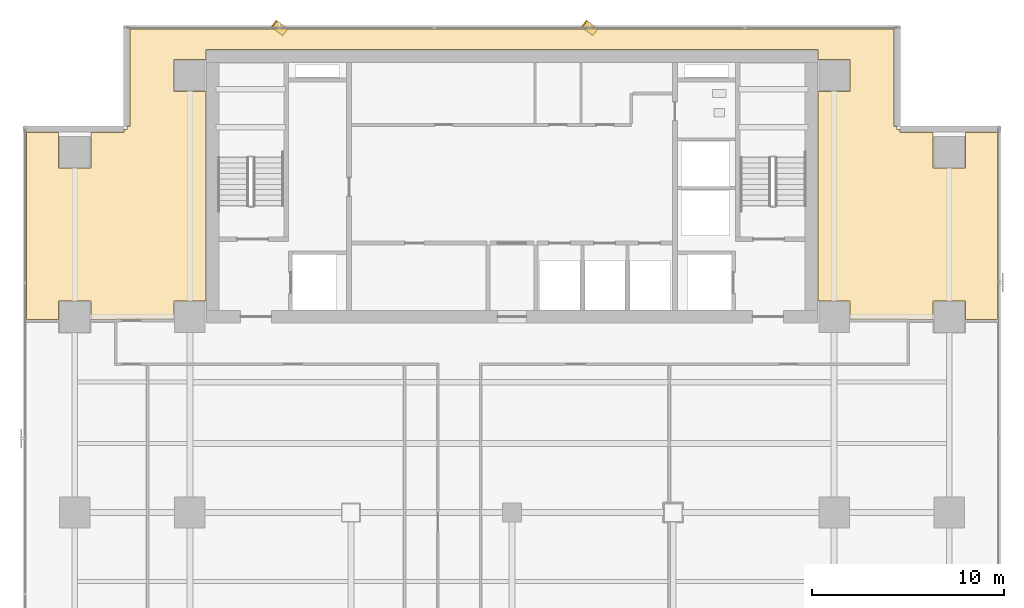
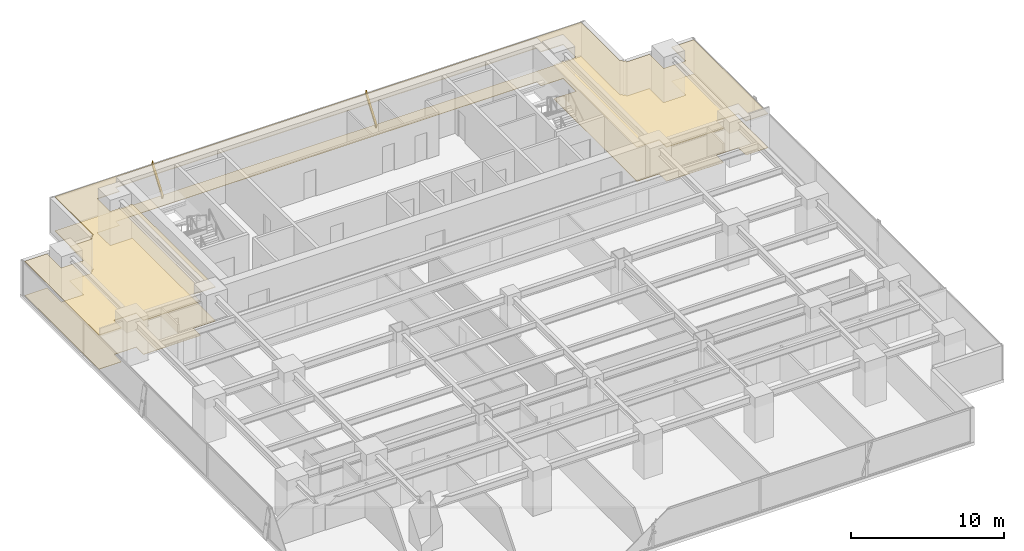
# One storey, part 35 of 37: 2 coverings, 2 shading devices.
"""IFC4 building model written with IfcOpenShell, lengths in metres."""

from ifc_helpers import new_model, si_unit, direction, frame, origin, origin_2d, place, context, subcontext, project, spatial, polyline, rectangle, outline, extrude, source, transform, mapped, material, layer, layer_set, material_profile, profile_set, type_object, element, save


model = new_model("IFC4")

# Units and contexts
model_context = context("Model", 3, precision=1e-05, world=origin(), true_north=direction((0.0, 1.0)))
body_context = subcontext(model_context, "Body", "Model", "MODEL_VIEW")
ifc_project = project(units=[si_unit("LENGTHUNIT", "METRE"), si_unit("AREAUNIT", "SQUARE_METRE"), si_unit("VOLUMEUNIT", "CUBIC_METRE"), si_unit("PLANEANGLEUNIT", "RADIAN"), si_unit("MASSUNIT", "GRAM", prefix="KILO")], contexts=[model_context])

# Site, building, storey
site_placement = place(None, origin())
site = spatial("IfcSite", under=ifc_project, at=site_placement, CompositionType="ELEMENT")
building_placement = place(site_placement, origin())
building = spatial("IfcBuilding", under=site, at=building_placement, Name="Sumidabori Civic Tower", CompositionType="ELEMENT")
storey_placement = place(building_placement, frame((0.0, 0.0, 88.39990234375)))
storey = spatial("IfcBuildingStorey", under=building, at=storey_placement, Name="L22", CompositionType="ELEMENT", Elevation=88.39990234375)

# Coverings
ifc_material_1 = material(Name="Anodised Bronze Baffle Ceiling")
ifc_layer_1 = layer(ifc_material_1, 0.054931640625, Name="Anodised Bronze Baffle Ceiling")
ifc_layer_set_1 = layer_set([ifc_layer_1], Name="Anodised Bronze Baffle Ceiling")
covering_type_1 = type_object("IfcCoveringType", Name="CV-CEIL-AC3", PredefinedType="CEILING", material=ifc_layer_set_1)
covering_1_placement = place(storey_placement, frame((0.0, 0.0, 2.710205078125)))
element("IfcCovering", 1, at=covering_1_placement, inside=storey, type_object=covering_type_1, Name="Room Acoustic Ceiling L22-01", PredefinedType="CEILING", context=body_context, shape_type="SweptSolid", body=[
    extrude(outline(polyline([(-25.330078125, 10.080078125), (-25.330078125, 19.822021484375), (-23.639892578125, 19.822021484375), (-23.639892578125, 17.9599609375), (-21.9599609375, 17.9599609375), (-21.9599609375, 19.822021484375), (-20.241943359375, 19.822021484375), (-20.241943359375, 19.97998046875), (-20.080078125, 19.97998046875), (-20.080078125, 20.14208984375), (-19.922119140625, 20.14208984375), (-19.922119140625, 25.22998046875), (19.922119140625, 25.22998046875), (19.922119140625, 20.14208984375), (20.080078125, 20.14208984375), (20.080078125, 19.97998046875), (20.241943359375, 19.97998046875), (20.241943359375, 19.822021484375), (21.9599609375, 19.822021484375), (21.9599609375, 17.9599609375), (23.639892578125, 17.9599609375), (23.639892578125, 19.822021484375), (25.330078125, 19.822021484375), (25.330078125, 10.080078125), (23.639892578125, 10.080078125), (23.639892578125, 11.0400390625), (21.9599609375, 11.0400390625), (21.9599609375, 10.080078125), (20.739990234375, 10.080078125), (20.739990234375, 10.090087890625), (17.639892578125, 10.090087890625), (17.639892578125, 11.0400390625), (15.952880859375, 11.0400390625), (15.952880859375, 21.9599609375), (17.639892578125, 21.9599609375), (17.639892578125, 23.639892578125), (15.952880859375, 23.639892578125), (15.952880859375, 24.153076171875), (-15.952880859375, 24.153076171875), (-15.952880859375, 23.639892578125), (-17.639892578125, 23.639892578125), (-17.639892578125, 21.9599609375), (-15.952880859375, 21.9599609375), (-15.952880859375, 11.0400390625), (-17.639892578125, 11.0400390625), (-17.639892578125, 10.090087890625), (-20.739990234375, 10.090087890625), (-20.739990234375, 10.080078125), (-21.9599609375, 10.080078125), (-21.9599609375, 11.0400390625), (-23.639892578125, 11.0400390625), (-23.639892578125, 10.080078125), (-25.330078125, 10.080078125)])), origin(), (0.0, 0.0, 1.0), 0.054931640625),
])
ifc_material_2 = material(Name="Honed Terrazzo Tile Flooring")
ifc_layer_2 = layer(ifc_material_2, 0.030029296875, Name="Honed Terrazzo Tile Flooring")
ifc_layer_set_2 = layer_set([ifc_layer_2], Name="Honed Terrazzo Tile Flooring")
covering_type_2 = type_object("IfcCoveringType", Name="CV-FLR-TER", PredefinedType="FLOORING", material=ifc_layer_set_2)
covering_2_placement = place(storey_placement, origin())
element("IfcCovering", 2, at=covering_2_placement, inside=storey, type_object=covering_type_2, Name="Room Terrazzo Floor L22-01", PredefinedType="FLOORING", context=body_context, shape_type="SweptSolid", body=[
    extrude(outline(polyline([(-25.330078125, 10.080078125), (-25.330078125, 19.822021484375), (-23.639892578125, 19.822021484375), (-23.639892578125, 17.9599609375), (-21.9599609375, 17.9599609375), (-21.9599609375, 19.822021484375), (-20.241943359375, 19.822021484375), (-20.241943359375, 19.97998046875), (-20.080078125, 19.97998046875), (-20.080078125, 20.14208984375), (-19.922119140625, 20.14208984375), (-19.922119140625, 25.22998046875), (19.922119140625, 25.22998046875), (19.922119140625, 20.14208984375), (20.080078125, 20.14208984375), (20.080078125, 19.97998046875), (20.241943359375, 19.97998046875), (20.241943359375, 19.822021484375), (21.9599609375, 19.822021484375), (21.9599609375, 17.9599609375), (23.639892578125, 17.9599609375), (23.639892578125, 19.822021484375), (25.330078125, 19.822021484375), (25.330078125, 10.080078125), (23.639892578125, 10.080078125), (23.639892578125, 11.0400390625), (21.9599609375, 11.0400390625), (21.9599609375, 10.080078125), (20.739990234375, 10.080078125), (20.739990234375, 10.090087890625), (17.639892578125, 10.090087890625), (17.639892578125, 11.0400390625), (15.952880859375, 11.0400390625), (15.952880859375, 21.9599609375), (17.639892578125, 21.9599609375), (17.639892578125, 23.639892578125), (15.952880859375, 23.639892578125), (15.952880859375, 24.153076171875), (-15.952880859375, 24.153076171875), (-15.952880859375, 23.639892578125), (-17.639892578125, 23.639892578125), (-17.639892578125, 21.9599609375), (-15.952880859375, 21.9599609375), (-15.952880859375, 11.0400390625), (-17.639892578125, 11.0400390625), (-17.639892578125, 10.090087890625), (-20.739990234375, 10.090087890625), (-20.739990234375, 10.080078125), (-21.9599609375, 10.080078125), (-21.9599609375, 11.0400390625), (-23.639892578125, 11.0400390625), (-23.639892578125, 10.080078125), (-25.330078125, 10.080078125)])), origin(), (0.0, 0.0, 1.0), 0.030029296875),
])

# Shading devices
ifc_material_3 = material(Name="Anodised Bronze Aluminium AW-6063-T6", Category="aluminium")
ifc_material_profile = material_profile(ifc_material_3, rectangle(XDim=0.06005859375, YDim=0.449951171875, at=origin_2d()), Name="BRONZE FIN 450x60")
ifc_profile_set = profile_set([ifc_material_profile], Name="Anodised Bronze Aluminium AW-6063-T6")
shading_device_type = type_object("IfcShadingDeviceType", Name="SH-FIN-450", PredefinedType="USERDEFINED", material=ifc_profile_set)
shared_shape = source(origin(), body_context, "Body", "SweptSolid", [
    extrude(rectangle(XDim=0.06005859375, YDim=0.449951171875, at=origin_2d()), origin(), (0.0, 0.0, 1.0), 2.77001953125),
])
for number, where, z_axis, x_axis, name in (
    (3, (4.323974609375, 25.070068359375, 0.02001953125), (-0.202181391677, 0.151591976323, 0.967544602369), (0.774116663029, -0.580418770885, 0.252700301595), "Bronze Anodised Diagonal Fin L22-02"),
    (4, (-11.85205078125, 25.070068359375, 0.02001953125), (-0.202181391677, 0.151591976323, 0.967544602369), (0.774116663029, -0.580418770885, 0.252700301595), "Bronze Anodised Diagonal Fin L22-04"),
):
    element("IfcShadingDevice", number, at=place(storey_placement, frame(where, z_axis=z_axis, x_axis=x_axis)), inside=storey, type_object=shading_device_type, Name=name, ObjectType="FIN", PredefinedType="USERDEFINED", context=body_context, shape_type="MappedRepresentation", body=[
        mapped(shared_shape, transform((0.0, 0.0, 0.0), x_axis=(1.0, 0.0, 0.0), y_axis=(0.0, 1.0, 0.0), z_axis=(0.0, 0.0, 1.0), scale=1.0)),
    ])

save(model, "model.ifc")
